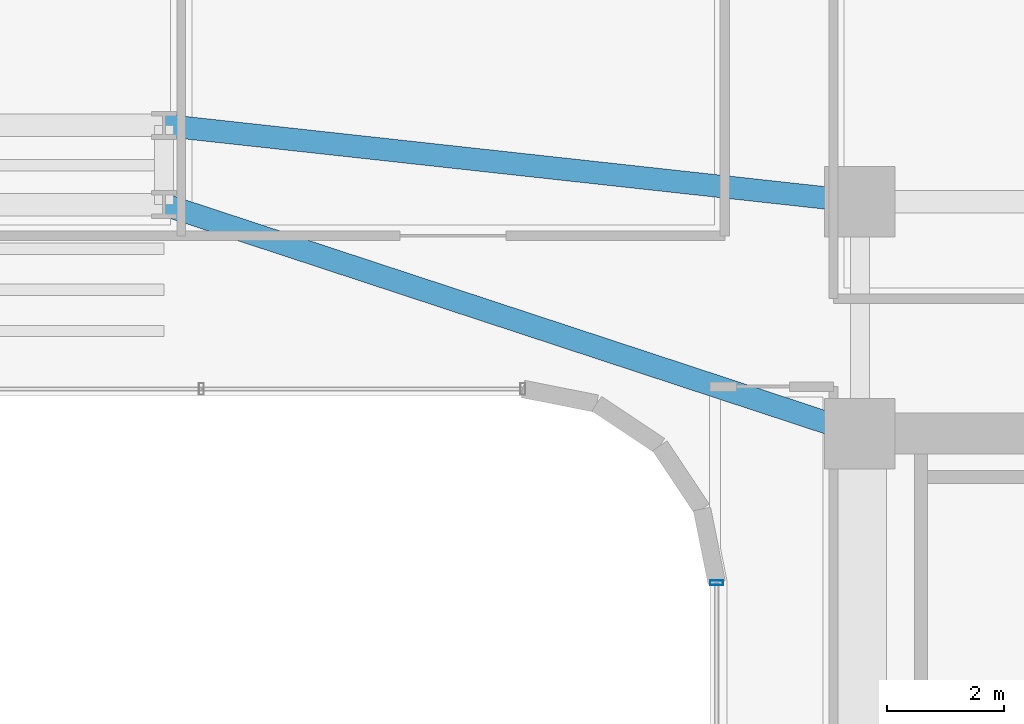
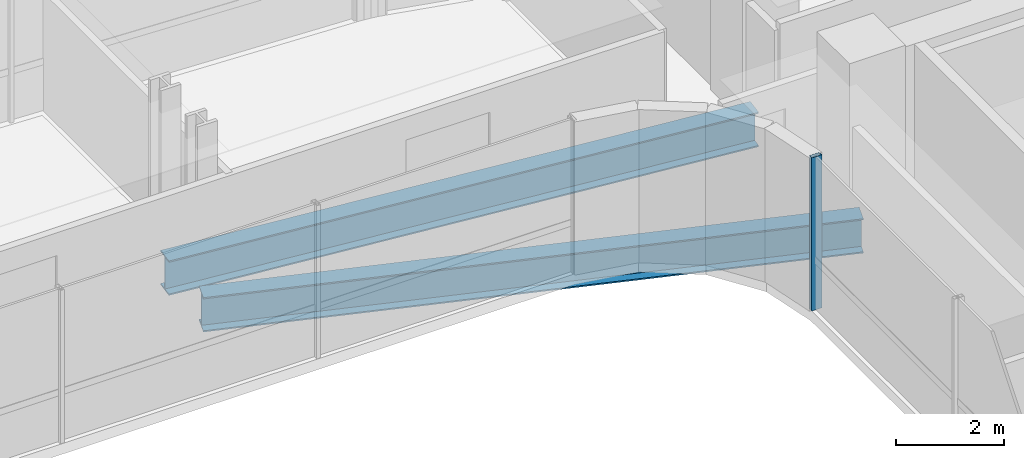
# One storey, part 17 of 37: 2 beams, 1 member, 1 element without a shape of its own.
"""IFC4 building model written with IfcOpenShell, lengths in metres."""

from ifc_helpers import new_model, si_unit, direction, frame, origin, origin_2d, place, context, subcontext, project, spatial, hollow_rectangle, i_section, extrude, source, transform, mapped, material, material_profile, profile_set, type_object, element, aggregate, save


model = new_model("IFC4")

# Units and contexts
model_context = context("Model", 3, precision=1e-05, world=origin(), true_north=direction((0.0, 1.0)))
body_context = subcontext(model_context, "Body", "Model", "MODEL_VIEW")
ifc_project = project(units=[si_unit("LENGTHUNIT", "METRE"), si_unit("AREAUNIT", "SQUARE_METRE"), si_unit("VOLUMEUNIT", "CUBIC_METRE"), si_unit("PLANEANGLEUNIT", "RADIAN"), si_unit("MASSUNIT", "GRAM", prefix="KILO")], contexts=[model_context])

# Site, building, storey
site_placement = place(None, origin())
site = spatial("IfcSite", under=ifc_project, at=site_placement, CompositionType="ELEMENT")
building_placement = place(site_placement, origin())
building = spatial("IfcBuilding", under=site, at=building_placement, Name="Valdorenza Pilgrim Sanctuary Tower", CompositionType="ELEMENT")
storey_placement = place(building_placement, frame((0.0, 0.0, 135.300048828125)))
storey = spatial("IfcBuildingStorey", under=building, at=storey_placement, Name="L34", CompositionType="ELEMENT", Elevation=135.300048828125)

# Beams
ifc_material_1 = material(Name="Steel ASTM A992 Grade 50", Category="steel")
ifc_material_profile_1 = material_profile(ifc_material_1, i_section(OverallWidth=0.382080078125, OverallDepth=0.779052734375, WebThickness=0.01806640625, FlangeThickness=0.030029296875, at=origin_2d()), Name="W30X191")
ifc_profile_set_1 = profile_set([ifc_material_profile_1], Name="Steel ASTM A992 Grade 50")
beam_type = type_object("IfcBeamType", Name="STR-BM-GRD-W30", PredefinedType="BEAM", material=ifc_profile_set_1)
shared_shape_1 = source(origin(), body_context, "Body", "SweptSolid", [
    extrude(i_section(OverallWidth=0.382080078125, OverallDepth=0.779052734375, WebThickness=0.01806640625, FlangeThickness=0.030029296875, at=origin_2d()), origin(), (0.0, 0.0, 1.0), 12.475341796875),
])
beam_1_placement = place(storey_placement, frame((4.0, 13.449951171875, -0.629638671875), z_axis=(0.949881908141, -0.312608957943, 0.0), x_axis=(0.312608957943, 0.949881908141, 0.0)))
element("IfcBeam", 1, at=beam_1_placement, inside=storey, type_object=beam_type, Name="L34 Floor Girder KNK-G3", PredefinedType="BEAM", context=body_context, shape_type="MappedRepresentation", body=[
    mapped(shared_shape_1, transform((0.0, 0.0, 0.0), x_axis=(1.0, 0.0, 0.0), y_axis=(0.0, 1.0, 0.0), z_axis=(0.0, 0.0, 1.0), scale=1.0)),
])
shared_shape_2 = source(origin(), body_context, "Body", "SweptSolid", [
    extrude(i_section(OverallWidth=0.382080078125, OverallDepth=0.779052734375, WebThickness=0.01806640625, FlangeThickness=0.030029296875, at=origin_2d()), origin(), (0.0, 0.0, 1.0), 11.921142578125),
])
beam_2_placement = place(storey_placement, frame((4.0, 14.800048828125, -0.629638671875), z_axis=(0.994035876607, -0.10905354656, 0.0), x_axis=(0.10905354656, 0.994035876607, 0.0)))
element("IfcBeam", 2, at=beam_2_placement, inside=storey, type_object=beam_type, Name="L34 Floor Girder KNK-G6", PredefinedType="BEAM", context=body_context, shape_type="MappedRepresentation", body=[
    mapped(shared_shape_2, transform((0.0, 0.0, 0.0), x_axis=(1.0, 0.0, 0.0), y_axis=(0.0, 1.0, 0.0), z_axis=(0.0, 0.0, 1.0), scale=1.0)),
])

# Curtain wall, member
ifc_material_2 = material(Name="Curtain-wall IGU glazing", Category="glass")
curtain_wall_type = type_object("IfcCurtainWallType", Name="CW-SYS-03", PredefinedType="NOTDEFINED", material=ifc_material_2)
curtain_wall_placement = place(storey_placement, origin())
curtain_wall = element("IfcCurtainWall", 3, at=curtain_wall_placement, inside=storey, type_object=curtain_wall_type, Name="L34 Curtain Wall CW-L34-1-31", PredefinedType="NOTDEFINED")
ifc_material_3 = material(Name="Anodised aluminium AW-6060", Category="aluminium")
ifc_material_profile_2 = material_profile(ifc_material_3, hollow_rectangle(XDim=0.0849609375, YDim=0.219970703125, WallThickness=0.0048828125, at=origin_2d()), Name="ALU-M 220x85x5")
ifc_profile_set_2 = profile_set([ifc_material_profile_2], Name="Anodised aluminium AW-6060")
member_type = type_object("IfcMemberType", Name="CW-MUL-03", PredefinedType="MULLION", material=ifc_profile_set_2)
shared_shape_3 = source(origin(), body_context, "Body", "SweptSolid", [
    extrude(hollow_rectangle(XDim=0.0849609375, YDim=0.219970703125, WallThickness=0.0048828125, at=origin_2d()), origin(), (0.0, 0.0, 1.0), 3.4599609375),
])
member_placement = place(storey_placement, frame((13.409912109375, 7.0107421875, 0.0), z_axis=(0.0, 0.0, 1.0), x_axis=(0.0, 1.0, 0.0)))
member = element("IfcMember", 4, at=member_placement, type_object=member_type, Name="CW-L34-1-31 Mullion 4", PredefinedType="MULLION", context=body_context, shape_type="MappedRepresentation", body=[
    mapped(shared_shape_3, transform((0.0, 0.0, 0.0), x_axis=(1.0, 0.0, 0.0), y_axis=(0.0, 1.0, 0.0), z_axis=(0.0, 0.0, 1.0), scale=1.0)),
])
aggregate(curtain_wall, [member])

save(model, "model.ifc")
